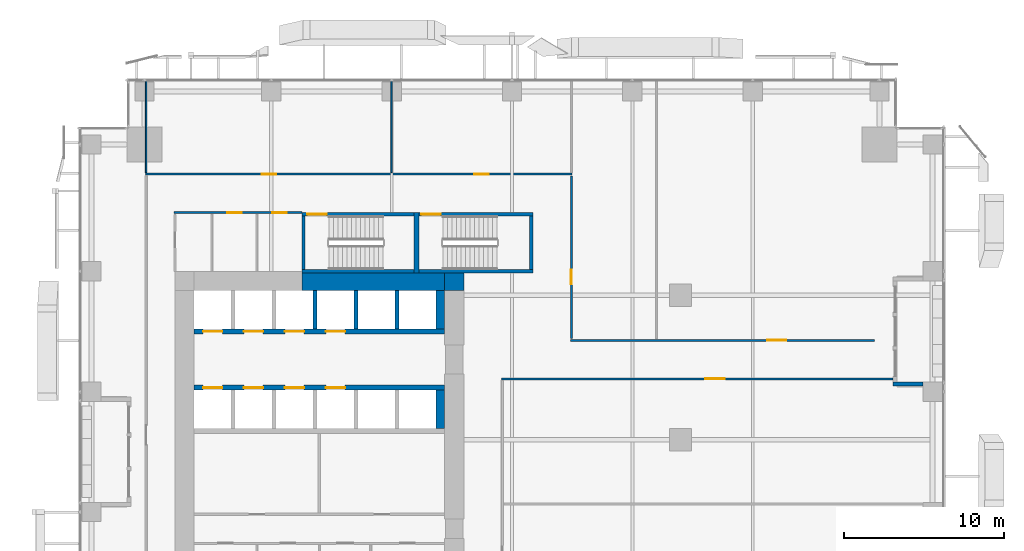
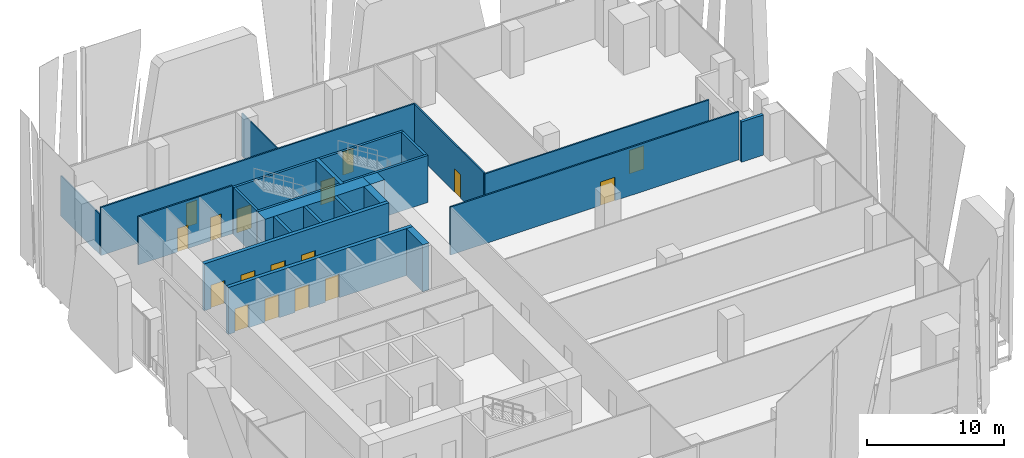
# One storey, part 31 of 37: 24 walls, 17 doors, 17 openings.
"""IFC4 building model written with IfcOpenShell, lengths in metres."""

import ifcopenshell
import ifcopenshell.guid

model = None  # the IFC model being written
_history = None  # IfcOwnerHistory: only IFC2X3 demands one
_inside = {}  # id of a spatial element -> (the spatial element, [elements in it])
_under = {}  # id of a project, library or spatial element -> (it, [spatial elements below it])
_declared = {}  # id of a project -> (the project, [libraries it declares])
_typed = {}  # id of a type object -> (the type object, [elements of that type])
_made_of = {}  # id of a material, layer set ... -> (it, [elements and type objects made of it])


def new_model(schema):
    """Start an empty IFC model of exactly this schema.

    Asked for "IFC4X3", IfcOpenShell would pick the latest addendum, in which some entities
    have other attributes; the version numbers below select the first issue.
    IFC2X3 requires an IfcOwnerHistory on every rooted entity: one is made here for all.
    """
    global model, _history
    if schema == "IFC4X3":
        model = ifcopenshell.file(schema_version=(4, 3, 0, 0))
    else:
        model = ifcopenshell.file(schema=schema)
    _inside.clear()
    _under.clear()
    _declared.clear()
    _typed.clear()
    _made_of.clear()
    _history = None
    if model.schema == "IFC2X3":
        org = make("IfcOrganization", Name="unknown")
        user = make(
            "IfcPersonAndOrganization",
            ThePerson=make("IfcPerson", FamilyName="unknown"),
            TheOrganization=org,
        )
        app = make(
            "IfcApplication",
            ApplicationDeveloper=org,
            Version="unknown",
            ApplicationFullName="unknown",
            ApplicationIdentifier="unknown",
        )
        _history = make(
            "IfcOwnerHistory",
            OwningUser=user,
            OwningApplication=app,
            ChangeAction="ADDED",
            CreationDate=0,
        )
    return model


def make(cls, **values):
    """One entity of the class cls with the attributes given. An attribute that is None is left unset."""
    return model.create_entity(
        cls, **{name: value for name, value in values.items() if value is not None}
    )


def rooted(cls, **values):
    """An entity with a GlobalId (a new one), such as an element, a storey or a relation."""
    return make(cls, GlobalId=ifcopenshell.guid.new(), OwnerHistory=_history, **values)


def si_unit(unit_type, name, prefix=None):
    """IfcSIUnit, for example si_unit("LENGTHUNIT", "METRE", prefix="MILLI")."""
    return make("IfcSIUnit", UnitType=unit_type, Prefix=prefix, Name=name)


def assignment(units):
    """IfcUnitAssignment: the units of a project."""
    return None if units is None else make("IfcUnitAssignment", Units=units)


def point(xyz):
    """IfcCartesianPoint."""
    return None if xyz is None else make("IfcCartesianPoint", Coordinates=xyz)


def direction(xyz):
    """IfcDirection."""
    return None if xyz is None else make("IfcDirection", DirectionRatios=xyz)


def frame(location, z_axis=None, x_axis=None):
    """IfcAxis2Placement3D, a coordinate frame: its origin and axes. An axis left out is left unset."""
    return make(
        "IfcAxis2Placement3D",
        Location=point(location),
        Axis=direction(z_axis),
        RefDirection=direction(x_axis),
    )


def frame_2d(location, x_axis=None):
    """IfcAxis2Placement2D, a coordinate frame in the plane: its origin and x axis."""
    return make(
        "IfcAxis2Placement2D", Location=point(location), RefDirection=direction(x_axis)
    )


def origin():
    """The frame at (0, 0, 0) with its axes left unset."""
    return frame((0.0, 0.0, 0.0))


def place(relative_to, where):
    """IfcLocalPlacement: puts the frame where relative to a parent placement (None: the world)."""
    return make(
        "IfcLocalPlacement", PlacementRelTo=relative_to, RelativePlacement=where
    )


def context(
    kind, dimensions, precision=None, world=None, true_north=None, identifier=None
):
    """IfcGeometricRepresentationContext, for example the 3D "Model" context."""
    return make(
        "IfcGeometricRepresentationContext",
        ContextIdentifier=identifier,
        ContextType=kind,
        CoordinateSpaceDimension=dimensions,
        Precision=precision,
        WorldCoordinateSystem=world,
        TrueNorth=true_north,
    )


def subcontext(parent, identifier, kind, view, scale=None):
    """IfcGeometricRepresentationSubContext, for example "Body" below "Model"."""
    return make(
        "IfcGeometricRepresentationSubContext",
        ContextIdentifier=identifier,
        ContextType=kind,
        ParentContext=parent,
        TargetScale=scale,
        TargetView=view,
    )


def project(units=None, contexts=None):
    """IfcProject with its units and contexts."""
    return rooted(
        "IfcProject",
        Name="project",
        RepresentationContexts=contexts,
        UnitsInContext=assignment(units),
    )


def spatial(cls, under=None, at=None, **own):
    """A site, building, storey or space (cls), placed at a placement, below another one or the project."""
    s = rooted(cls, ObjectPlacement=at, **own)
    if under is not None:
        _under.setdefault(under.id(), (under, []))[1].append(s)
    return s


def profile(cls, at=None, kind="AREA", **sizes):
    """A parametric profile (cls). Its sizes go by their IFC names, for example OverallWidth=200.0."""
    return make(cls, ProfileType=kind, Position=at, **sizes)


def rectangle(**sizes):
    """IfcRectangleProfileDef."""
    return profile("IfcRectangleProfileDef", **sizes)


def extrude(swept, where, along, depth):
    """IfcExtrudedAreaSolid: the profile swept, set in the frame where, extruded along a direction by depth."""
    return make(
        "IfcExtrudedAreaSolid",
        SweptArea=swept,
        Position=where,
        ExtrudedDirection=direction(along),
        Depth=depth,
    )


def shape(context_of_items, identifier, shape_type, items):
    """IfcShapeRepresentation: the items that make up one representation, for example the "Body"."""
    return make(
        "IfcShapeRepresentation",
        ContextOfItems=context_of_items,
        RepresentationIdentifier=identifier,
        RepresentationType=shape_type,
        Items=items,
    )


def source(mapping_origin, context_of_items, identifier, shape_type, items):
    """IfcRepresentationMap: a shape defined once, which mapped items show again and again."""
    return make(
        "IfcRepresentationMap",
        MappingOrigin=mapping_origin,
        MappedRepresentation=shape(context_of_items, identifier, shape_type, items),
    )


def transform(
    local_origin,
    x_axis=None,
    y_axis=None,
    z_axis=None,
    scale=None,
    scale2=None,
    scale3=None,
    uniform=True,
):
    """IfcCartesianTransformationOperator3D, or its non-uniform kind. x_axis, y_axis, z_axis: its Axis1, 2, 3."""
    if uniform:
        return make(
            "IfcCartesianTransformationOperator3D",
            Axis1=direction(x_axis),
            Axis2=direction(y_axis),
            LocalOrigin=point(local_origin),
            Scale=scale,
            Axis3=direction(z_axis),
        )
    return make(
        "IfcCartesianTransformationOperator3DnonUniform",
        Axis1=direction(x_axis),
        Axis2=direction(y_axis),
        LocalOrigin=point(local_origin),
        Scale=scale,
        Axis3=direction(z_axis),
        Scale2=scale2,
        Scale3=scale3,
    )


def mapped(mapping_source, mapping_target):
    """IfcMappedItem: shows the shape of a source again, moved by a transform."""
    return make(
        "IfcMappedItem", MappingSource=mapping_source, MappingTarget=mapping_target
    )


def material(Name=None, Category=None):
    """IfcMaterial."""
    return make("IfcMaterial", Name=Name, Category=Category)


def layer(
    of_material, thickness, ventilated=None, Name=None, Category=None, Priority=None
):
    """IfcMaterialLayer: one layer of a wall or slab, of a material (None: an air gap)."""
    return make(
        "IfcMaterialLayer",
        Material=of_material,
        LayerThickness=thickness,
        IsVentilated=ventilated,
        Name=Name,
        Category=Category,
        Priority=Priority,
    )


def layer_set(layers, Name=None):
    """IfcMaterialLayerSet."""
    return make("IfcMaterialLayerSet", MaterialLayers=layers, LayerSetName=Name)


def made_of(thing, what):
    """Note that an element or type object is made of a material, layer set ...; save() writes the relation."""
    if what is not None:
        _made_of.setdefault(what.id(), (what, []))[1].append(thing)
    return thing


def type_object(cls, material=None, **own):
    """A type object (cls), such as IfcWallType, which elements share."""
    return made_of(rooted(cls, **own), material)


def element(
    cls,
    number,
    at=None,
    inside=None,
    cuts=None,
    type_object=None,
    material=None,
    context=None,
    identifier="Body",
    shape_type=None,
    held_by="IfcProductDefinitionShape",
    body=None,
    shapes=None,
    **own,
):
    """One element of the class cls, such as IfcWall. Its Tag is "e" and its number.

    at: its placement. inside: the storey or other place that contains it. cuts: it is an
    opening in that element (IfcRelVoidsElement). A single representation is given by context,
    identifier, shape_type and body (its items); several are given by shapes. held_by: the class
    of the entity that holds the representations. save() writes the other relations.
    """
    e = rooted(cls, Tag="e%d" % number, ObjectPlacement=at, **own)
    if body is not None:
        shapes = [shape(context, identifier, shape_type, body)]
    if shapes is not None:
        e.Representation = make(held_by, Representations=shapes)
    if inside is not None:
        _inside.setdefault(inside.id(), (inside, []))[1].append(e)
    if cuts is not None:
        rooted(
            "IfcRelVoidsElement", RelatingBuildingElement=cuts, RelatedOpeningElement=e
        )
    if type_object is not None:
        _typed.setdefault(type_object.id(), (type_object, []))[1].append(e)
    return made_of(e, material)


def fill(opening, filler):
    """IfcRelFillsElement: the door or window that sits in an opening."""
    return rooted(
        "IfcRelFillsElement",
        RelatingOpeningElement=opening,
        RelatedBuildingElement=filler,
    )


def aggregate(whole, parts):
    """IfcRelAggregates: a whole, such as a stair, and the parts it consists of."""
    return rooted("IfcRelAggregates", RelatingObject=whole, RelatedObjects=parts)


def save(model, path):
    """Write the relations noted so far, then the file.

    IfcRelAggregates (storeys below a building ...), IfcRelContainedInSpatialStructure (elements
    in a storey), IfcRelDefinesByType, IfcRelAssociatesMaterial and IfcRelDeclares: one each for
    every whole, place, type object, material and project.
    """
    for whole, parts in _under.values():
        aggregate(whole, parts)
    for where, things in _inside.values():
        rooted(
            "IfcRelContainedInSpatialStructure",
            RelatedElements=things,
            RelatingStructure=where,
        )
    for kind, things in _typed.values():
        rooted("IfcRelDefinesByType", RelatedObjects=things, RelatingType=kind)
    for what, things in _made_of.values():
        rooted("IfcRelAssociatesMaterial", RelatedObjects=things, RelatingMaterial=what)
    for by, libraries in _declared.values():
        rooted("IfcRelDeclares", RelatingContext=by, RelatedDefinitions=libraries)
    model.write(path)


model = new_model("IFC4")

# Units and contexts
model_context = context("Model", 3, precision=1e-05, world=origin(), true_north=direction((0.0, 1.0)))
body_context = subcontext(model_context, "Body", "Model", "MODEL_VIEW")
ifc_project = project(units=[si_unit("LENGTHUNIT", "METRE"), si_unit("AREAUNIT", "SQUARE_METRE"), si_unit("VOLUMEUNIT", "CUBIC_METRE"), si_unit("PLANEANGLEUNIT", "RADIAN"), si_unit("MASSUNIT", "GRAM", prefix="KILO")], contexts=[model_context])

# Site, building, storey
site_placement = place(None, origin())
site = spatial("IfcSite", under=ifc_project, at=site_placement, CompositionType="ELEMENT")
building_placement = place(site_placement, origin())
building = spatial("IfcBuilding", under=site, at=building_placement, Name="Khomas Fold Tower", CompositionType="ELEMENT")
storey_placement = place(building_placement, frame((0.0, 0.0, 60.0)))
storey = spatial("IfcBuildingStorey", under=building, at=storey_placement, Name="L12", CompositionType="ELEMENT", Elevation=60.0)

# Walls
ifc_material_1 = material(Name="Concrete C70/85", Category="concrete")
ifc_layer_1 = layer(ifc_material_1, 1.10009765625)
ifc_layer_set_1 = layer_set([ifc_layer_1], Name="Concrete C70/85")
wall_type_1 = type_object("IfcWallType", Name="Core wall 1100", PredefinedType="SHEAR", material=ifc_layer_set_1)
shared_shape_1 = source(origin(), body_context, "Body", "SweptSolid", [
    extrude(rectangle(XDim=8.900146484375, YDim=1.10009765625, at=frame_2d((4.4501953125, 0.0))), origin(), (0.0, 0.0, 1.0), 4.199951171875),
])
wall_1_placement = place(storey_placement, frame((13.89990234375, 41.35009765625, 0.0), z_axis=(0.0, 0.0, 1.0), x_axis=(1.0, 0.0, 0.0)))
element("IfcWall", 1, at=wall_1_placement, inside=storey, type_object=wall_type_1, Name="Core wall CW-L-N-B2-1", PredefinedType="SHEAR", context=body_context, shape_type="MappedRepresentation", body=[
    mapped(shared_shape_1, transform((0.0, 0.0, 0.0))),
])
ifc_material_2 = material(Name="Concrete C70/85", Category="concrete")
ifc_layer_2 = layer(ifc_material_2, 1.10009765625)
ifc_layer_set_2 = layer_set([ifc_layer_2], Name="Concrete C70/85")
wall_type_2 = type_object("IfcWallType", Name="Core corner wall 1100", PredefinedType="SHEAR", material=ifc_layer_set_2)
shared_shape_2 = source(origin(), body_context, "Body", "SweptSolid", [
    extrude(rectangle(XDim=1.199951171875, YDim=1.10009765625, at=frame_2d((0.60009765625, 0.0))), origin(), (0.0, 0.0, 1.0), 4.199951171875),
])
wall_2_placement = place(storey_placement, frame((22.800048828125, 41.35009765625, 0.0), z_axis=(0.0, 0.0, 1.0), x_axis=(1.0, 0.0, 0.0)))
element("IfcWall", 2, at=wall_2_placement, inside=storey, type_object=wall_type_2, Name="Core wall CW-L-NE-B2", PredefinedType="SHEAR", context=body_context, shape_type="MappedRepresentation", body=[
    mapped(shared_shape_2, transform((0.0, 0.0, 0.0))),
])

# Wall, opening, door
ifc_material_3 = material(Name="Concrete C50/60", Category="concrete")
ifc_layer_3 = layer(ifc_material_3, 0.199951171875)
ifc_layer_set_3 = layer_set([ifc_layer_3], Name="Concrete C50/60")
wall_type_3 = type_object("IfcWallType", Name="Stair wall 200", PredefinedType="SHEAR", material=ifc_layer_set_3)
shared_shape_3 = source(origin(), body_context, "Body", "SweptSolid", [
    extrude(rectangle(XDim=7.0, YDim=0.199951171875, at=frame_2d((3.5, 0.0))), origin(), (0.0, 0.0, 1.0), 4.199951171875),
])
wall_3_placement = place(storey_placement, frame((13.89990234375, 45.550048828125, 0.0), z_axis=(0.0, 0.0, 1.0), x_axis=(1.0, 0.0, 0.0)))
wall_3 = element("IfcWall", 3, at=wall_3_placement, inside=storey, type_object=wall_type_3, Name="Stair wall SW-ST1-N", PredefinedType="SHEAR", context=body_context, shape_type="MappedRepresentation", body=[
    mapped(shared_shape_3, transform((0.0, 0.0, 0.0))),
])
shared_shape_4 = source(origin(), body_context, "Body", "SweptSolid", [
    extrude(rectangle(XDim=1.199951171875, YDim=2.10009765625, at=frame_2d((0.60009765625, 1.050048828125))), frame((0.0, 0.10986328125, 0.0), z_axis=(0.0, -1.0, 0.0), x_axis=(1.0, 0.0, 0.0)), (0.0, 0.0, 1.0), 0.219970703125),
])
opening_1_placement = place(wall_3_placement, frame((0.35009765625, 0.0, 0.0)))
opening_1 = element("IfcOpeningElement", 4, at=opening_1_placement, cuts=wall_3, Name="Opening SD-ST1", PredefinedType="OPENING", context=body_context, shape_type="MappedRepresentation", body=[
    mapped(shared_shape_4, transform((0.0, 0.0, 0.0))),
])
ifc_material_4 = material(Name="Steel door leaf", Category="steel")
door_type_1 = type_object("IfcDoorType", Name="Stair door 1200x2100 left-hand", OperationType="SINGLE_SWING_LEFT", PredefinedType="DOOR", material=ifc_material_4)
shared_shape_5 = source(origin(), body_context, "Body", "SweptSolid", [
    extrude(rectangle(XDim=1.199951171875, YDim=2.10009765625, at=frame_2d((0.60009765625, 1.050048828125))), frame((0.0, 0.02490234375, 0.0), z_axis=(0.0, -1.0, 0.0), x_axis=(1.0, 0.0, 0.0)), (0.0, 0.0, 1.0), 0.050048828125),
])
door_1_placement = place(opening_1_placement, origin())
door_1 = element("IfcDoor", 5, at=door_1_placement, inside=storey, type_object=door_type_1, Name="Stair door", OperationType="SINGLE_SWING_LEFT", OverallHeight=2.10009765625, OverallWidth=1.199951171875, PredefinedType="DOOR", context=body_context, shape_type="MappedRepresentation", body=[
    mapped(shared_shape_5, transform((0.0, 0.0, 0.0))),
])
fill(opening_1, door_1)

# Wall
wall_4_placement = place(storey_placement, frame((13.89990234375, 42.0, 0.0), z_axis=(0.0, 0.0, 1.0), x_axis=(1.0, 0.0, 0.0)))
element("IfcWall", 6, at=wall_4_placement, inside=storey, type_object=wall_type_3, Name="Stair wall SW-ST1-S", PredefinedType="SHEAR", context=body_context, shape_type="MappedRepresentation", body=[
    mapped(shared_shape_3, transform((0.0, 0.0, 0.0))),
])

# Wall, opening, door
shared_shape_6 = source(origin(), body_context, "Body", "SweptSolid", [
    extrude(rectangle(XDim=7.10009765625, YDim=0.199951171875, at=frame_2d((3.550048828125, 0.0))), origin(), (0.0, 0.0, 1.0), 4.199951171875),
])
wall_5_placement = place(storey_placement, frame((21.199951171875, 45.550048828125, 0.0), z_axis=(0.0, 0.0, 1.0), x_axis=(1.0, 0.0, 0.0)))
wall_5 = element("IfcWall", 7, at=wall_5_placement, inside=storey, type_object=wall_type_3, Name="Stair wall SW-ST3-N", PredefinedType="SHEAR", context=body_context, shape_type="MappedRepresentation", body=[
    mapped(shared_shape_6, transform((0.0, 0.0, 0.0))),
])
opening_2_placement = place(wall_5_placement, frame((0.14990234375, 0.0, 0.0)))
opening_2 = element("IfcOpeningElement", 8, at=opening_2_placement, cuts=wall_5, Name="Opening SD-ST3", PredefinedType="OPENING", context=body_context, shape_type="MappedRepresentation", body=[
    mapped(shared_shape_4, transform((0.0, 0.0, 0.0))),
])
door_2_placement = place(opening_2_placement, origin())
door_2 = element("IfcDoor", 9, at=door_2_placement, inside=storey, type_object=door_type_1, Name="Stair door", OperationType="SINGLE_SWING_LEFT", OverallHeight=2.10009765625, OverallWidth=1.199951171875, PredefinedType="DOOR", context=body_context, shape_type="MappedRepresentation", body=[
    mapped(shared_shape_5, transform((0.0, 0.0, 0.0))),
])
fill(opening_2, door_2)

# Walls
wall_6_placement = place(storey_placement, frame((21.199951171875, 42.0, 0.0), z_axis=(0.0, 0.0, 1.0), x_axis=(1.0, 0.0, 0.0)))
element("IfcWall", 10, at=wall_6_placement, inside=storey, type_object=wall_type_3, Name="Stair wall SW-ST3-S", PredefinedType="SHEAR", context=body_context, shape_type="MappedRepresentation", body=[
    mapped(shared_shape_6, transform((0.0, 0.0, 0.0))),
])
ifc_material_5 = material(Name="Concrete C50/60", Category="concrete")
ifc_layer_4 = layer(ifc_material_5, 0.300048828125)
ifc_layer_set_4 = layer_set([ifc_layer_4], Name="Concrete C50/60")
wall_type_4 = type_object("IfcWallType", Name="Stair wall 300", PredefinedType="SHEAR", material=ifc_layer_set_4)
shared_shape_7 = source(origin(), body_context, "Body", "SweptSolid", [
    extrude(rectangle(XDim=3.75, YDim=0.300048828125, at=frame_2d((1.875, 0.0))), origin(), (0.0, 0.0, 1.0), 4.199951171875),
])
wall_7_placement = place(storey_placement, frame((21.050048828125, 41.89990234375, 0.0), z_axis=(0.0, 0.0, 1.0), x_axis=(0.0, 1.0, 0.0)))
element("IfcWall", 11, at=wall_7_placement, inside=storey, type_object=wall_type_4, Name="Stair wall SW-ST1-E", PredefinedType="SHEAR", context=body_context, shape_type="MappedRepresentation", body=[
    mapped(shared_shape_7, transform((0.0, 0.0, 0.0))),
])
shared_shape_8 = source(origin(), body_context, "Body", "SweptSolid", [
    extrude(rectangle(XDim=3.349853515625, YDim=0.199951171875, at=frame_2d((1.6748046875, 0.0))), origin(), (0.0, 0.0, 1.0), 4.199951171875),
])
for number, where, z_axis, x_axis, name in (
    (12, (14.0, 42.10009765625, 0.0), (0.0, 0.0, 1.0), (0.0, 1.0, 0.0), "Stair wall SW-ST1-W"),
    (13, (28.199951171875, 42.10009765625, 0.0), (0.0, 0.0, 1.0), (0.0, 1.0, 0.0), "Stair wall SW-ST3-E"),
):
    element("IfcWall", number, at=place(storey_placement, frame(where, z_axis=z_axis, x_axis=x_axis)), inside=storey, type_object=wall_type_3, Name=name, PredefinedType="SHEAR", context=body_context, shape_type="MappedRepresentation", body=[
        mapped(shared_shape_8, transform((0.0, 0.0, 0.0))),
    ])

# Wall, openings, doors
ifc_material_6 = material(Name="Concrete C50/60", Category="concrete")
ifc_layer_5 = layer(ifc_material_6, 0.300048828125)
ifc_layer_set_5 = layer_set([ifc_layer_5], Name="Concrete C50/60")
wall_type_5 = type_object("IfcWallType", Name="Shaft wall 300", PredefinedType="STANDARD", material=ifc_layer_set_5)
shared_shape_9 = source(origin(), body_context, "Body", "SweptSolid", [
    extrude(rectangle(XDim=15.60009765625, YDim=0.300048828125, at=frame_2d((7.800048828125, 0.0))), origin(), (0.0, 0.0, 1.0), 4.199951171875),
])
wall_8_placement = place(storey_placement, frame((7.199951171875, 38.25, 0.0), z_axis=(0.0, 0.0, 1.0), x_axis=(1.0, 0.0, 0.0)))
wall_8 = element("IfcWall", 14, at=wall_8_placement, inside=storey, type_object=wall_type_5, Name="Core wall SW-LRN-F", PredefinedType="STANDARD", context=body_context, shape_type="MappedRepresentation", body=[
    mapped(shared_shape_9, transform((0.0, 0.0, 0.0))),
])
shared_shape_10 = source(origin(), body_context, "Body", "SweptSolid", [
    extrude(rectangle(XDim=1.199951171875, YDim=2.10009765625, at=frame_2d((0.60009765625, 1.050048828125))), frame((0.0, 0.159912109375, 0.0), z_axis=(0.0, -1.0, 0.0), x_axis=(1.0, 0.0, 0.0)), (0.0, 0.0, 1.0), 0.320068359375),
])
opening_3_placement = place(wall_8_placement, frame((0.550048828125, 0.0, 0.0)))
opening_3 = element("IfcOpeningElement", 15, at=opening_3_placement, cuts=wall_8, Name="Opening LD-LR5", PredefinedType="OPENING", context=body_context, shape_type="MappedRepresentation", body=[
    mapped(shared_shape_10, transform((0.0, 0.0, 0.0))),
])
opening_4_placement = place(wall_8_placement, frame((3.10009765625, 0.0, 0.0)))
opening_4 = element("IfcOpeningElement", 16, at=opening_4_placement, cuts=wall_8, Name="Opening LD-LR6", PredefinedType="OPENING", context=body_context, shape_type="MappedRepresentation", body=[
    mapped(shared_shape_10, transform((0.0, 0.0, 0.0))),
])
opening_5_placement = place(wall_8_placement, frame((5.64990234375, 0.0, 0.0)))
opening_5 = element("IfcOpeningElement", 17, at=opening_5_placement, cuts=wall_8, Name="Opening LD-LR7", PredefinedType="OPENING", context=body_context, shape_type="MappedRepresentation", body=[
    mapped(shared_shape_10, transform((0.0, 0.0, 0.0))),
])
opening_6_placement = place(wall_8_placement, frame((8.199951171875, 0.0, 0.0)))
opening_6 = element("IfcOpeningElement", 18, at=opening_6_placement, cuts=wall_8, Name="Opening LD-LR8", PredefinedType="OPENING", context=body_context, shape_type="MappedRepresentation", body=[
    mapped(shared_shape_10, transform((0.0, 0.0, 0.0))),
])
ifc_material_7 = material(Name="Steel door leaf", Category="steel")
door_type_2 = type_object("IfcDoorType", Name="Landing door 1200x2100", OperationType="DOUBLE_DOOR_SLIDING", PredefinedType="DOOR", material=ifc_material_7)
door_3_placement = place(opening_3_placement, origin())
door_3 = element("IfcDoor", 19, at=door_3_placement, inside=storey, type_object=door_type_2, Name="Lift landing door", OperationType="DOUBLE_DOOR_SLIDING", OverallHeight=2.10009765625, OverallWidth=1.199951171875, PredefinedType="DOOR", context=body_context, shape_type="MappedRepresentation", body=[
    mapped(shared_shape_5, transform((0.0, 0.0, 0.0))),
])
fill(opening_3, door_3)
door_4_placement = place(opening_4_placement, origin())
door_4 = element("IfcDoor", 20, at=door_4_placement, inside=storey, type_object=door_type_2, Name="Lift landing door", OperationType="DOUBLE_DOOR_SLIDING", OverallHeight=2.10009765625, OverallWidth=1.199951171875, PredefinedType="DOOR", context=body_context, shape_type="MappedRepresentation", body=[
    mapped(shared_shape_5, transform((0.0, 0.0, 0.0))),
])
fill(opening_4, door_4)
door_5_placement = place(opening_5_placement, origin())
door_5 = element("IfcDoor", 21, at=door_5_placement, inside=storey, type_object=door_type_2, Name="Lift landing door", OperationType="DOUBLE_DOOR_SLIDING", OverallHeight=2.10009765625, OverallWidth=1.199951171875, PredefinedType="DOOR", context=body_context, shape_type="MappedRepresentation", body=[
    mapped(shared_shape_5, transform((0.0, 0.0, 0.0))),
])
fill(opening_5, door_5)
door_6_placement = place(opening_6_placement, origin())
door_6 = element("IfcDoor", 22, at=door_6_placement, inside=storey, type_object=door_type_2, Name="Lift landing door", OperationType="DOUBLE_DOOR_SLIDING", OverallHeight=2.10009765625, OverallWidth=1.199951171875, PredefinedType="DOOR", context=body_context, shape_type="MappedRepresentation", body=[
    mapped(shared_shape_5, transform((0.0, 0.0, 0.0))),
])
fill(opening_6, door_6)

wall_9_placement = place(storey_placement, frame((7.199951171875, 34.75, 0.0), z_axis=(0.0, 0.0, 1.0), x_axis=(1.0, 0.0, 0.0)))
wall_9 = element("IfcWall", 23, at=wall_9_placement, inside=storey, type_object=wall_type_5, Name="Core wall SW-LRS-F", PredefinedType="STANDARD", context=body_context, shape_type="MappedRepresentation", body=[
    mapped(shared_shape_9, transform((0.0, 0.0, 0.0))),
])
opening_7_placement = place(wall_9_placement, frame((0.550048828125, 0.0, 0.0)))
opening_7 = element("IfcOpeningElement", 24, at=opening_7_placement, cuts=wall_9, Name="Opening LD-LR1", PredefinedType="OPENING", context=body_context, shape_type="MappedRepresentation", body=[
    mapped(shared_shape_10, transform((0.0, 0.0, 0.0))),
])
opening_8_placement = place(wall_9_placement, frame((3.10009765625, 0.0, 0.0)))
opening_8 = element("IfcOpeningElement", 25, at=opening_8_placement, cuts=wall_9, Name="Opening LD-LR2", PredefinedType="OPENING", context=body_context, shape_type="MappedRepresentation", body=[
    mapped(shared_shape_10, transform((0.0, 0.0, 0.0))),
])
opening_9_placement = place(wall_9_placement, frame((5.64990234375, 0.0, 0.0)))
opening_9 = element("IfcOpeningElement", 26, at=opening_9_placement, cuts=wall_9, Name="Opening LD-LR3", PredefinedType="OPENING", context=body_context, shape_type="MappedRepresentation", body=[
    mapped(shared_shape_10, transform((0.0, 0.0, 0.0))),
])
opening_10_placement = place(wall_9_placement, frame((8.199951171875, 0.0, 0.0)))
opening_10 = element("IfcOpeningElement", 27, at=opening_10_placement, cuts=wall_9, Name="Opening LD-LR4", PredefinedType="OPENING", context=body_context, shape_type="MappedRepresentation", body=[
    mapped(shared_shape_10, transform((0.0, 0.0, 0.0))),
])
door_7_placement = place(opening_7_placement, origin())
door_7 = element("IfcDoor", 28, at=door_7_placement, inside=storey, type_object=door_type_2, Name="Lift landing door", OperationType="DOUBLE_DOOR_SLIDING", OverallHeight=2.10009765625, OverallWidth=1.199951171875, PredefinedType="DOOR", context=body_context, shape_type="MappedRepresentation", body=[
    mapped(shared_shape_5, transform((0.0, 0.0, 0.0))),
])
fill(opening_7, door_7)
door_8_placement = place(opening_8_placement, origin())
door_8 = element("IfcDoor", 29, at=door_8_placement, inside=storey, type_object=door_type_2, Name="Lift landing door", OperationType="DOUBLE_DOOR_SLIDING", OverallHeight=2.10009765625, OverallWidth=1.199951171875, PredefinedType="DOOR", context=body_context, shape_type="MappedRepresentation", body=[
    mapped(shared_shape_5, transform((0.0, 0.0, 0.0))),
])
fill(opening_8, door_8)
door_9_placement = place(opening_9_placement, origin())
door_9 = element("IfcDoor", 30, at=door_9_placement, inside=storey, type_object=door_type_2, Name="Lift landing door", OperationType="DOUBLE_DOOR_SLIDING", OverallHeight=2.10009765625, OverallWidth=1.199951171875, PredefinedType="DOOR", context=body_context, shape_type="MappedRepresentation", body=[
    mapped(shared_shape_5, transform((0.0, 0.0, 0.0))),
])
fill(opening_9, door_9)
door_10_placement = place(opening_10_placement, origin())
door_10 = element("IfcDoor", 31, at=door_10_placement, inside=storey, type_object=door_type_2, Name="Lift landing door", OperationType="DOUBLE_DOOR_SLIDING", OverallHeight=2.10009765625, OverallWidth=1.199951171875, PredefinedType="DOOR", context=body_context, shape_type="MappedRepresentation", body=[
    mapped(shared_shape_5, transform((0.0, 0.0, 0.0))),
])
fill(opening_10, door_10)

# Walls
ifc_material_8 = material(Name="Concrete C50/60", Category="concrete")
ifc_layer_6 = layer(ifc_material_8, 0.25)
ifc_layer_set_6 = layer_set([ifc_layer_6], Name="Concrete C50/60")
wall_type_6 = type_object("IfcWallType", Name="Shaft wall 250", PredefinedType="STANDARD", material=ifc_layer_set_6)
shared_shape_11 = source(origin(), body_context, "Body", "SweptSolid", [
    extrude(rectangle(XDim=2.400146484375, YDim=0.25, at=frame_2d((1.2001953125, 0.0))), origin(), (0.0, 0.0, 1.0), 4.199951171875),
])
for number, where, z_axis, x_axis, name in (
    (32, (14.72509765625, 38.39990234375, 0.0), (0.0, 0.0, 1.0), (0.0, 1.0, 0.0), "Core wall SW-LRN-P3"),
    (33, (17.27490234375, 38.39990234375, 0.0), (0.0, 0.0, 1.0), (0.0, 1.0, 0.0), "Core wall SW-LRN-P4"),
    (34, (19.824951171875, 38.39990234375, 0.0), (0.0, 0.0, 1.0), (0.0, 1.0, 0.0), "Core wall SW-LRN-P5"),
):
    element("IfcWall", number, at=place(storey_placement, frame(where, z_axis=z_axis, x_axis=x_axis)), inside=storey, type_object=wall_type_6, Name=name, PredefinedType="STANDARD", context=body_context, shape_type="MappedRepresentation", body=[
        mapped(shared_shape_11, transform((0.0, 0.0, 0.0))),
    ])
ifc_material_9 = material(Name="Concrete C50/60", Category="concrete")
ifc_layer_7 = layer(ifc_material_9, 0.550048828125)
ifc_layer_set_7 = layer_set([ifc_layer_7], Name="Concrete C50/60")
wall_type_7 = type_object("IfcWallType", Name="Shaft wall 550", PredefinedType="STANDARD", material=ifc_layer_set_7)
shared_shape_12 = source(origin(), body_context, "Body", "SweptSolid", [
    extrude(rectangle(XDim=2.400146484375, YDim=0.550048828125, at=frame_2d((1.2001953125, 0.0))), origin(), (0.0, 0.0, 1.0), 4.199951171875),
])
for number, where, z_axis, x_axis, name in (
    (35, (22.52490234375, 38.39990234375, 0.0), (0.0, 0.0, 1.0), (0.0, 1.0, 0.0), "Core wall SW-LRN-PE"),
    (36, (22.52490234375, 32.199951171875, 0.0), (0.0, 0.0, 1.0), (0.0, 1.0, 0.0), "Core wall SW-LRS-PE"),
):
    element("IfcWall", number, at=place(storey_placement, frame(where, z_axis=z_axis, x_axis=x_axis)), inside=storey, type_object=wall_type_7, Name=name, PredefinedType="STANDARD", context=body_context, shape_type="MappedRepresentation", body=[
        mapped(shared_shape_12, transform((0.0, 0.0, 0.0))),
    ])
ifc_material_10 = material(Name="Natural stone", Category="masonry")
ifc_layer_8 = layer(ifc_material_10, 0.0400390625)
ifc_material_11 = material(Name="Mineral wool insulation", Category="insulation")
ifc_layer_9 = layer(ifc_material_11, 0.10009765625)
ifc_material_12 = material(Name="Masonry", Category="masonry")
ifc_layer_10 = layer(ifc_material_12, 0.110107421875)
ifc_layer_set_8 = layer_set([ifc_layer_8, ifc_layer_9, ifc_layer_10], Name="Stone-faced insulated masonry")
wall_type_8 = type_object("IfcWallType", Name="BL-Balcony wall", PredefinedType="SOLIDWALL", material=ifc_layer_set_8)
shared_shape_13 = source(origin(), body_context, "Body", "SweptSolid", [
    extrude(rectangle(XDim=1.85009765625, YDim=0.25, at=frame_2d((0.925048828125, 0.0))), origin(), (0.0, 0.0, 1.0), 3.60009765625),
])
wall_10_placement = place(storey_placement, frame((52.60009765625, 34.97509765625, 0.0), z_axis=(0.0, 0.0, 1.0), x_axis=(-1.0, 0.0, 0.0)))
element("IfcWall", 37, at=wall_10_placement, inside=storey, type_object=wall_type_8, Name="Balcony return wall BAL-L12-E4-lo", PredefinedType="SOLIDWALL", context=body_context, shape_type="MappedRepresentation", body=[
    mapped(shared_shape_13, transform((0.0, 0.0, 0.0))),
])

# Wall, opening, door
ifc_material_13 = material(Name="Plasterboard partition")
ifc_layer_11 = layer(ifc_material_13, 0.125)
ifc_layer_set_9 = layer_set([ifc_layer_11], Name="Plasterboard partition")
wall_type_9 = type_object("IfcWallType", Name="Partition PW2 125", PredefinedType="PARTITIONING", material=ifc_layer_set_9)
shared_shape_14 = source(origin(), body_context, "Body", "SweptSolid", [
    extrude(rectangle(XDim=10.14990234375, YDim=0.125, at=frame_2d((5.074951171875, 0.0))), origin(), (0.0, 0.0, 1.0), 4.300048828125),
])
wall_11_placement = place(storey_placement, frame((30.699951171875, 37.800048828125, 0.0), z_axis=(0.0, 0.0, 1.0), x_axis=(0.0, 1.0, 0.0)))
wall_11 = element("IfcWall", 38, at=wall_11_placement, inside=storey, type_object=wall_type_9, Name="Partition", PredefinedType="PARTITIONING", context=body_context, shape_type="MappedRepresentation", body=[
    mapped(shared_shape_14, transform((0.0, 0.0, 0.0))),
])
shared_shape_15 = source(origin(), body_context, "Body", "SweptSolid", [
    extrude(rectangle(XDim=0.89990234375, YDim=2.10009765625, at=frame_2d((0.449951171875, 1.050048828125))), frame((0.0, 0.072509765625, 0.0), z_axis=(0.0, -1.0, 0.0), x_axis=(1.0, 0.0, 0.0)), (0.0, 0.0, 1.0), 0.14501953125),
])
opening_11_placement = place(wall_11_placement, frame((3.39990234375, 0.0, 0.0)))
opening_11 = element("IfcOpeningElement", 39, at=opening_11_placement, cuts=wall_11, Name="Opening 0007", PredefinedType="OPENING", context=body_context, shape_type="MappedRepresentation", body=[
    mapped(shared_shape_15, transform((0.0, 0.0, 0.0))),
])
ifc_material_14 = material(Name="Timber door leaf", Category="wood")
door_type_3 = type_object("IfcDoorType", Name="Door 900x2100 left-hand", OperationType="SINGLE_SWING_LEFT", PredefinedType="DOOR", material=ifc_material_14)
shared_shape_16 = source(origin(), body_context, "Body", "SweptSolid", [
    extrude(rectangle(XDim=0.89990234375, YDim=2.10009765625, at=frame_2d((0.449951171875, 1.050048828125))), frame((0.0, 0.02490234375, 0.0), z_axis=(0.0, -1.0, 0.0), x_axis=(1.0, 0.0, 0.0)), (0.0, 0.0, 1.0), 0.050048828125),
])
door_11_placement = place(opening_11_placement, origin())
door_11 = element("IfcDoor", 40, at=door_11_placement, inside=storey, type_object=door_type_3, Name="Door", OperationType="SINGLE_SWING_LEFT", OverallHeight=2.10009765625, OverallWidth=0.89990234375, PredefinedType="DOOR", context=body_context, shape_type="MappedRepresentation", body=[
    mapped(shared_shape_16, transform((0.0, 0.0, 0.0))),
])
fill(opening_11, door_11)

# Wall, openings, doors
shared_shape_17 = source(origin(), body_context, "Body", "SweptSolid", [
    extrude(rectangle(XDim=7.949951171875, YDim=0.125, at=frame_2d((3.97509765625, 0.0))), origin(), (0.0, 0.0, 1.0), 4.300048828125),
])
wall_12_placement = place(storey_placement, frame((5.949951171875, 45.64990234375, 0.0), z_axis=(0.0, 0.0, 1.0), x_axis=(1.0, 0.0, 0.0)))
wall_12 = element("IfcWall", 41, at=wall_12_placement, inside=storey, type_object=wall_type_9, Name="Partition", PredefinedType="PARTITIONING", context=body_context, shape_type="MappedRepresentation", body=[
    mapped(shared_shape_17, transform((0.0, 0.0, 0.0))),
])
opening_12_placement = place(wall_12_placement, frame((3.300048828125, 0.0, 0.0)))
opening_12 = element("IfcOpeningElement", 42, at=opening_12_placement, cuts=wall_12, Name="Opening 0007", PredefinedType="OPENING", context=body_context, shape_type="MappedRepresentation", body=[
    mapped(shared_shape_15, transform((0.0, 0.0, 0.0))),
])
opening_13_placement = place(wall_12_placement, frame((6.10009765625, 0.0, 0.0)))
opening_13 = element("IfcOpeningElement", 43, at=opening_13_placement, cuts=wall_12, Name="Opening 0008", PredefinedType="OPENING", context=body_context, shape_type="MappedRepresentation", body=[
    mapped(shared_shape_15, transform((0.0, 0.0, 0.0))),
])
door_12_placement = place(opening_12_placement, origin())
door_12 = element("IfcDoor", 44, at=door_12_placement, inside=storey, type_object=door_type_3, Name="Door", OperationType="SINGLE_SWING_LEFT", OverallHeight=2.10009765625, OverallWidth=0.89990234375, PredefinedType="DOOR", context=body_context, shape_type="MappedRepresentation", body=[
    mapped(shared_shape_16, transform((0.0, 0.0, 0.0))),
])
fill(opening_12, door_12)
ifc_material_15 = material(Name="Timber door leaf", Category="wood")
door_type_4 = type_object("IfcDoorType", Name="Door 900x2100 right-hand", OperationType="SINGLE_SWING_RIGHT", PredefinedType="DOOR", material=ifc_material_15)
door_13_placement = place(opening_13_placement, origin())
door_13 = element("IfcDoor", 45, at=door_13_placement, inside=storey, type_object=door_type_4, Name="Door", OperationType="SINGLE_SWING_RIGHT", OverallHeight=2.10009765625, OverallWidth=0.89990234375, PredefinedType="DOOR", context=body_context, shape_type="MappedRepresentation", body=[
    mapped(shared_shape_16, transform((0.0, 0.0, 0.0))),
])
fill(opening_13, door_13)

# Wall
ifc_material_16 = material(Name="Plasterboard partition")
ifc_layer_12 = layer(ifc_material_16, 0.10009765625)
ifc_layer_set_10 = layer_set([ifc_layer_12], Name="Plasterboard partition")
wall_type_10 = type_object("IfcWallType", Name="Partition PW1 100", PredefinedType="PARTITIONING", material=ifc_layer_set_10)
shared_shape_18 = source(origin(), body_context, "Body", "SweptSolid", [
    extrude(rectangle(XDim=5.7001953125, YDim=0.10009765625, at=frame_2d((2.85009765625, 0.0))), origin(), (0.0, 0.0, 1.0), 3.840087890625),
])
wall_13_placement = place(storey_placement, frame((19.5, 48.14990234375, 0.0), z_axis=(0.0, 0.0, 1.0), x_axis=(0.0, 1.0, 0.0)))
element("IfcWall", 46, at=wall_13_placement, inside=storey, type_object=wall_type_10, Name="Partition", PredefinedType="PARTITIONING", context=body_context, shape_type="MappedRepresentation", body=[
    mapped(shared_shape_18, transform((0.0, 0.0, 0.0))),
])

# Wall, openings, doors
shared_shape_19 = source(origin(), body_context, "Body", "SweptSolid", [
    extrude(rectangle(XDim=26.60009765625, YDim=0.125, at=frame_2d((13.300048828125, 0.0))), origin(), (0.0, 0.0, 1.0), 4.300048828125),
])
wall_14_placement = place(storey_placement, frame((4.14990234375, 48.050048828125, 0.0), z_axis=(0.0, 0.0, 1.0), x_axis=(1.0, 0.0, 0.0)))
wall_14 = element("IfcWall", 47, at=wall_14_placement, inside=storey, type_object=wall_type_9, Name="Partition", PredefinedType="PARTITIONING", context=body_context, shape_type="MappedRepresentation", body=[
    mapped(shared_shape_19, transform((0.0, 0.0, 0.0))),
])
opening_14_placement = place(wall_14_placement, frame((7.25, 0.0, 0.0)))
opening_14 = element("IfcOpeningElement", 48, at=opening_14_placement, cuts=wall_14, Name="Opening 0007", PredefinedType="OPENING", context=body_context, shape_type="MappedRepresentation", body=[
    mapped(shared_shape_15, transform((0.0, 0.0, 0.0))),
])
opening_15_placement = place(wall_14_placement, frame((20.5, 0.0, 0.0)))
opening_15 = element("IfcOpeningElement", 49, at=opening_15_placement, cuts=wall_14, Name="Opening 0008", PredefinedType="OPENING", context=body_context, shape_type="MappedRepresentation", body=[
    mapped(shared_shape_15, transform((0.0, 0.0, 0.0))),
])
door_14_placement = place(opening_14_placement, origin())
door_14 = element("IfcDoor", 50, at=door_14_placement, inside=storey, type_object=door_type_3, Name="Door", OperationType="SINGLE_SWING_LEFT", OverallHeight=2.10009765625, OverallWidth=0.89990234375, PredefinedType="DOOR", context=body_context, shape_type="MappedRepresentation", body=[
    mapped(shared_shape_16, transform((0.0, 0.0, 0.0))),
])
fill(opening_14, door_14)
door_15_placement = place(opening_15_placement, origin())
door_15 = element("IfcDoor", 51, at=door_15_placement, inside=storey, type_object=door_type_4, Name="Door", OperationType="SINGLE_SWING_RIGHT", OverallHeight=2.10009765625, OverallWidth=0.89990234375, PredefinedType="DOOR", context=body_context, shape_type="MappedRepresentation", body=[
    mapped(shared_shape_16, transform((0.0, 0.0, 0.0))),
])
fill(opening_15, door_15)

# Wall
shared_shape_20 = source(origin(), body_context, "Body", "SweptSolid", [
    extrude(rectangle(XDim=5.7001953125, YDim=0.10009765625, at=frame_2d((2.85009765625, 0.0))), origin(), (0.0, 0.0, 1.0), 3.60009765625),
])
wall_15_placement = place(storey_placement, frame((4.199951171875, 48.14990234375, 0.0), z_axis=(0.0, 0.0, 1.0), x_axis=(0.0, 1.0, 0.0)))
element("IfcWall", 52, at=wall_15_placement, inside=storey, type_object=wall_type_10, Name="Partition", PredefinedType="PARTITIONING", context=body_context, shape_type="MappedRepresentation", body=[
    mapped(shared_shape_20, transform((0.0, 0.0, 0.0))),
])

# Wall, opening, door
shared_shape_21 = source(origin(), body_context, "Body", "SweptSolid", [
    extrude(rectangle(XDim=24.39990234375, YDim=0.125, at=frame_2d((12.199951171875, 0.0))), origin(), (0.0, 0.0, 1.0), 4.300048828125),
])
wall_16_placement = place(storey_placement, frame((26.35009765625, 35.300048828125, 0.0), z_axis=(0.0, 0.0, 1.0), x_axis=(1.0, 0.0, 0.0)))
wall_16 = element("IfcWall", 53, at=wall_16_placement, inside=storey, type_object=wall_type_9, Name="Partition", PredefinedType="PARTITIONING", context=body_context, shape_type="MappedRepresentation", body=[
    mapped(shared_shape_21, transform((0.0, 0.0, 0.0))),
])
shared_shape_22 = source(origin(), body_context, "Body", "SweptSolid", [
    extrude(rectangle(XDim=1.199951171875, YDim=2.10009765625, at=frame_2d((0.60009765625, 1.050048828125))), frame((0.0, 0.072509765625, 0.0), z_axis=(0.0, -1.0, 0.0), x_axis=(1.0, 0.0, 0.0)), (0.0, 0.0, 1.0), 0.14501953125),
])
opening_16_placement = place(wall_16_placement, frame((12.699951171875, 0.0, 0.0)))
opening_16 = element("IfcOpeningElement", 54, at=opening_16_placement, cuts=wall_16, Name="Opening 0013", PredefinedType="OPENING", context=body_context, shape_type="MappedRepresentation", body=[
    mapped(shared_shape_22, transform((0.0, 0.0, 0.0))),
])
ifc_material_17 = material(Name="Timber door leaf", Category="wood")
door_type_5 = type_object("IfcDoorType", Name="Door 1200x2100 left-hand", OperationType="SINGLE_SWING_LEFT", PredefinedType="DOOR", material=ifc_material_17)
door_16_placement = place(opening_16_placement, origin())
door_16 = element("IfcDoor", 55, at=door_16_placement, inside=storey, type_object=door_type_5, Name="Door", OperationType="SINGLE_SWING_LEFT", OverallHeight=2.10009765625, OverallWidth=1.199951171875, PredefinedType="DOOR", context=body_context, shape_type="MappedRepresentation", body=[
    mapped(shared_shape_5, transform((0.0, 0.0, 0.0))),
])
fill(opening_16, door_16)

shared_shape_23 = source(origin(), body_context, "Body", "SweptSolid", [
    extrude(rectangle(XDim=18.9501953125, YDim=0.125, at=frame_2d((9.47509765625, 0.0))), origin(), (0.0, 0.0, 1.0), 4.300048828125),
])
wall_17_placement = place(storey_placement, frame((30.64990234375, 37.699951171875, 0.0), z_axis=(0.0, 0.0, 1.0), x_axis=(1.0, 0.0, 0.0)))
wall_17 = element("IfcWall", 56, at=wall_17_placement, inside=storey, type_object=wall_type_9, Name="Partition", PredefinedType="PARTITIONING", context=body_context, shape_type="MappedRepresentation", body=[
    mapped(shared_shape_23, transform((0.0, 0.0, 0.0))),
])
opening_17_placement = place(wall_17_placement, frame((12.25, 0.0, 0.0)))
opening_17 = element("IfcOpeningElement", 57, at=opening_17_placement, cuts=wall_17, Name="Opening 0001", PredefinedType="OPENING", context=body_context, shape_type="MappedRepresentation", body=[
    mapped(shared_shape_22, transform((0.0, 0.0, 0.0))),
])
ifc_material_18 = material(Name="Timber door leaf", Category="wood")
door_type_6 = type_object("IfcDoorType", Name="Door 1200x2100 right-hand", OperationType="SINGLE_SWING_RIGHT", PredefinedType="DOOR", material=ifc_material_18)
door_17_placement = place(opening_17_placement, origin())
door_17 = element("IfcDoor", 58, at=door_17_placement, inside=storey, type_object=door_type_6, Name="Door", OperationType="SINGLE_SWING_RIGHT", OverallHeight=2.10009765625, OverallWidth=1.199951171875, PredefinedType="DOOR", context=body_context, shape_type="MappedRepresentation", body=[
    mapped(shared_shape_5, transform((0.0, 0.0, 0.0))),
])
fill(opening_17, door_17)

save(model, "model.ifc")
